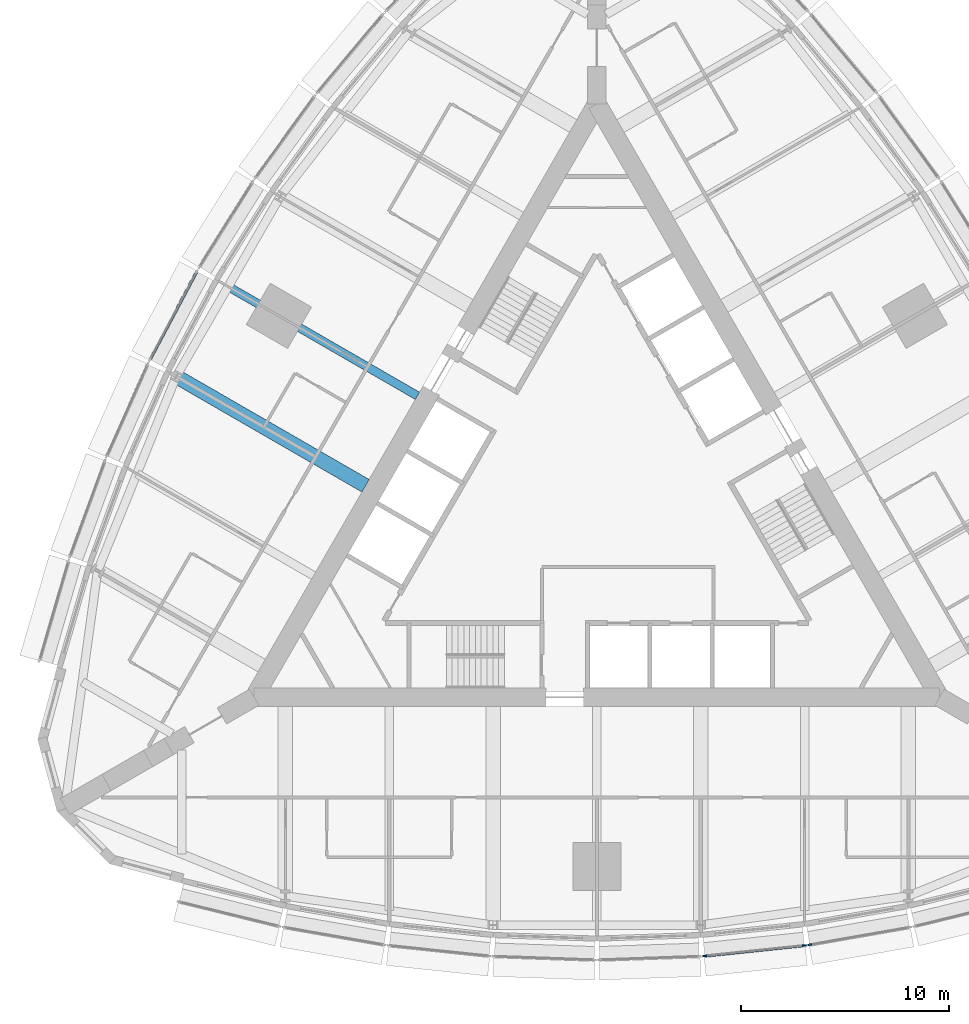
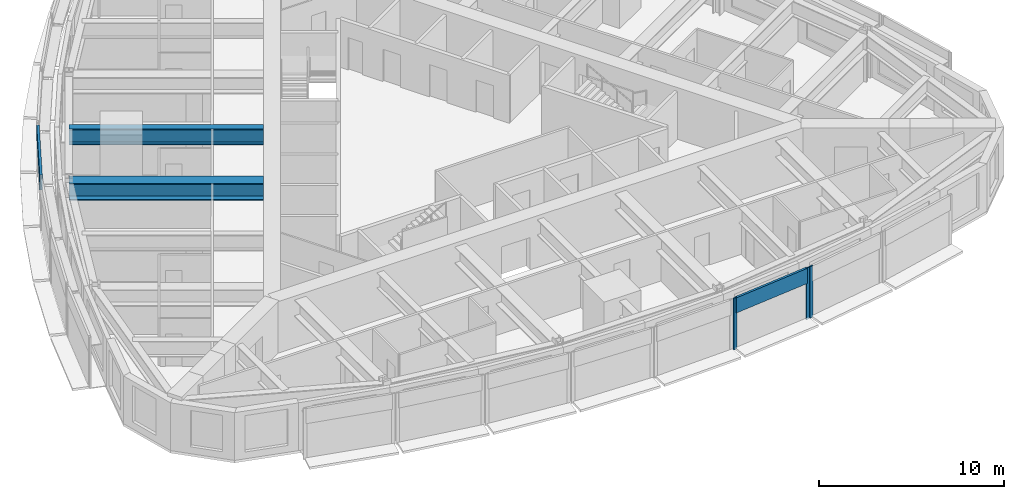
# One storey, part 3 of 15: 5 members, 2 beams, 3 elements without a shape of their own.
"""IFC4 building model written with IfcOpenShell, lengths in metres."""

from ifc_helpers import new_model, si_unit, direction, frame, origin, origin_2d, place, context, subcontext, project, spatial, rectangle, i_section, extrude, material, material_profile, profile_set, type_object, element, aggregate, save


model = new_model("IFC4")

# Units and contexts
model_context = context("Model", 3, precision=1e-05, world=origin(), true_north=direction((0.0, 1.0)))
body_context = subcontext(model_context, "Body", "Model", "MODEL_VIEW")
ifc_project = project(units=[si_unit("LENGTHUNIT", "METRE"), si_unit("AREAUNIT", "SQUARE_METRE"), si_unit("VOLUMEUNIT", "CUBIC_METRE"), si_unit("PLANEANGLEUNIT", "RADIAN"), si_unit("MASSUNIT", "GRAM", prefix="KILO")], contexts=[model_context])

# Site, building, storey
site_placement = place(None, origin())
site = spatial("IfcSite", under=ifc_project, at=site_placement, CompositionType="ELEMENT")
building_placement = place(site_placement, origin())
building = spatial("IfcBuilding", under=site, at=building_placement, Name="Trikona Tower", CompositionType="ELEMENT")
storey_placement = place(building_placement, frame((0.0, 0.0, 186.10009765625)))
storey = spatial("IfcBuildingStorey", under=building, at=storey_placement, Name="L50", CompositionType="ELEMENT", Elevation=186.10009765625)

# Curtain wall, members
ifc_material_1 = material(Name="Aluminium curtain wall system", Category="aluminium")
curtain_wall_type = type_object("IfcCurtainWallType", Name="Curtain wall DS2S", PredefinedType="NOTDEFINED", material=ifc_material_1)
curtain_wall_1_placement = place(storey_placement, origin())
curtain_wall_1 = element("IfcCurtainWall", 1, at=curtain_wall_1_placement, inside=storey, type_object=curtain_wall_type, Name="Curtain wall DS2S L50", PredefinedType="NOTDEFINED")
ifc_material_2 = material(Name="Aluminium mullion, pale anodised", Category="aluminium")
ifc_material_profile_1 = material_profile(ifc_material_2, rectangle(XDim=0.080078125, YDim=0.199951171875, at=origin_2d()), Name="MUL-DS2S")
ifc_profile_set_1 = profile_set([ifc_material_profile_1], Name="Aluminium mullion, pale anodised")
member_type_1 = type_object("IfcMemberType", Name="Mullion DS2S 80x200", PredefinedType="MULLION", material=ifc_profile_set_1)
member_1_placement = place(storey_placement, frame((5.193359375, -21.98486328125, 0.0), z_axis=(0.0, 0.0, 1.0), x_axis=(-0.104433387357, 0.994531883654, 0.0)))
member_1 = element("IfcMember", 2, at=member_1_placement, type_object=member_type_1, Name="CW-DS2S mullion 1", PredefinedType="MULLION", context=body_context, shape_type="SweptSolid", body=[
    extrude(rectangle(XDim=0.080078125, YDim=0.199951171875, at=origin_2d()), origin(), (0.0, 0.0, 1.0), 3.39990234375),
])
member_2_placement = place(storey_placement, frame((9.99462890625, -21.480712890625, 0.0), z_axis=(0.0, 0.0, 1.0), x_axis=(-0.104433387357, 0.994531883654, 0.0)))
member_2 = element("IfcMember", 3, at=member_2_placement, type_object=member_type_1, Name="CW-DS2S mullion 2", PredefinedType="MULLION", context=body_context, shape_type="SweptSolid", body=[
    extrude(rectangle(XDim=0.080078125, YDim=0.199951171875, at=origin_2d()), origin(), (0.0, 0.0, 1.0), 3.39990234375),
])

# Curtain wall, member
curtain_wall_2_placement = place(storey_placement, origin())
curtain_wall_2 = element("IfcCurtainWall", 4, at=curtain_wall_2_placement, inside=storey, type_object=curtain_wall_type, Name="Curtain wall DS2S L50", PredefinedType="NOTDEFINED")
member_3_placement = place(storey_placement, frame((10.253662109375, -21.444580078125, 0.0), z_axis=(0.0, 0.0, 1.0), x_axis=(-0.17237739505, 0.985030981074, 0.0)))
member_3 = element("IfcMember", 5, at=member_3_placement, type_object=member_type_1, Name="CW-DS2S mullion 1", PredefinedType="MULLION", context=body_context, shape_type="SweptSolid", body=[
    extrude(rectangle(XDim=0.080078125, YDim=0.199951171875, at=origin_2d()), origin(), (0.0, 0.0, 1.0), 3.39990234375),
])
aggregate(curtain_wall_2, [member_3])

# Beams
ifc_material_3 = material(Name="Steel ASTM A992 Grade 50", Category="steel")
ifc_material_profile_2 = material_profile(ifc_material_3, i_section(OverallWidth=0.699951171875, OverallDepth=1.10009765625, WebThickness=0.0400390625, FlangeThickness=0.06005859375, at=origin_2d()), Name="PG1100X700")
ifc_profile_set_2 = profile_set([ifc_material_profile_2], Name="Steel ASTM A992 Grade 50")
beam_type_1 = type_object("IfcBeamType", Name="Steel beam PG1100x700 (belt chord radial)", PredefinedType="BEAM", material=ifc_profile_set_2)
beam_1_placement = place(storey_placement, frame((-11.1396484375, 0.657958984375, 2.599853515625), z_axis=(-0.866026035623, 0.499998905622, 0.0), x_axis=(-0.499998905622, -0.866026035623, 0.0)))
element("IfcBeam", 6, at=beam_1_placement, inside=storey, type_object=beam_type_1, Name="Floor beam L51 F3 u5", PredefinedType="BEAM", context=body_context, shape_type="SweptSolid", body=[
    extrude(i_section(OverallWidth=0.699951171875, OverallDepth=1.10009765625, WebThickness=0.0400390625, FlangeThickness=0.06005859375, at=origin_2d()), origin(), (0.0, 0.0, 1.0), 10.52392578125),
])
ifc_material_4 = material(Name="Steel ASTM A992 Grade 50", Category="steel")
ifc_material_profile_3 = material_profile(ifc_material_4, i_section(OverallWidth=0.408935546875, OverallDepth=1.04150390625, WebThickness=0.031005859375, FlangeThickness=0.055908203125, at=origin_2d()), Name="W40X397")
ifc_profile_set_3 = profile_set([ifc_material_profile_3], Name="Steel ASTM A992 Grade 50")
beam_type_2 = type_object("IfcBeamType", Name="Steel beam W40x397 (plant)", PredefinedType="BEAM", material=ifc_profile_set_3)
beam_2_placement = place(storey_placement, frame((-8.6396484375, 4.988037109375, 2.629150390625), z_axis=(-0.866026035623, 0.499998905622, 0.0), x_axis=(-0.499998905622, -0.866026035623, 0.0)))
element("IfcBeam", 7, at=beam_2_placement, inside=storey, type_object=beam_type_2, Name="Floor beam L51 F3 u0", PredefinedType="BEAM", context=body_context, shape_type="SweptSolid", body=[
    extrude(i_section(OverallWidth=0.408935546875, OverallDepth=1.04150390625, WebThickness=0.031005859375, FlangeThickness=0.055908203125, at=origin_2d()), origin(), (0.0, 0.0, 1.0), 10.52392578125),
])

# Member
ifc_material_5 = material(Name="Aluminium transom, pale anodised", Category="aluminium")
ifc_material_profile_4 = material_profile(ifc_material_5, rectangle(XDim=0.139892578125, YDim=1.0, at=origin_2d()), Name="TRN-DS2S")
ifc_profile_set_4 = profile_set([ifc_material_profile_4], Name="Aluminium transom, pale anodised")
member_type_2 = type_object("IfcMemberType", Name="Transom DS2S 1000x140", PredefinedType="USERDEFINED", material=ifc_profile_set_4)
member_4_placement = place(storey_placement, frame((5.233154296875, -21.980712890625, 2.89990234375), z_axis=(0.99453106441, 0.104441188822, 0.0), x_axis=(-0.104441188822, 0.99453106441, 0.0)))
member_4 = element("IfcMember", 8, at=member_4_placement, type_object=member_type_2, Name="CW-DS2S transom 1.1", ObjectType="TRANSOM", PredefinedType="USERDEFINED", context=body_context, shape_type="SweptSolid", body=[
    extrude(rectangle(XDim=0.139892578125, YDim=1.0, at=origin_2d()), origin(), (0.0, 0.0, 1.0), 4.74755859375),
])

aggregate(curtain_wall_1, [member_1, member_2, member_4])

# Curtain wall, member
curtain_wall_3_placement = place(storey_placement, origin())
curtain_wall_3 = element("IfcCurtainWall", 9, at=curtain_wall_3_placement, inside=storey, type_object=curtain_wall_type, Name="Curtain wall DS2S L50", PredefinedType="NOTDEFINED")
member_5_placement = place(storey_placement, frame((-19.285400390625, 10.9365234375, 2.89990234375), z_axis=(-0.469364343408, -0.883004594063, 0.0), x_axis=(0.883004594063, -0.469364343408, 0.0)))
member_5 = element("IfcMember", 10, at=member_5_placement, type_object=member_type_2, Name="CW-DS2S transom 1.1", ObjectType="TRANSOM", PredefinedType="USERDEFINED", context=body_context, shape_type="SweptSolid", body=[
    extrude(rectangle(XDim=0.139892578125, YDim=1.0, at=origin_2d()), origin(), (0.0, 0.0, 1.0), 4.722900390625),
])
aggregate(curtain_wall_3, [member_5])

save(model, "model.ifc")
